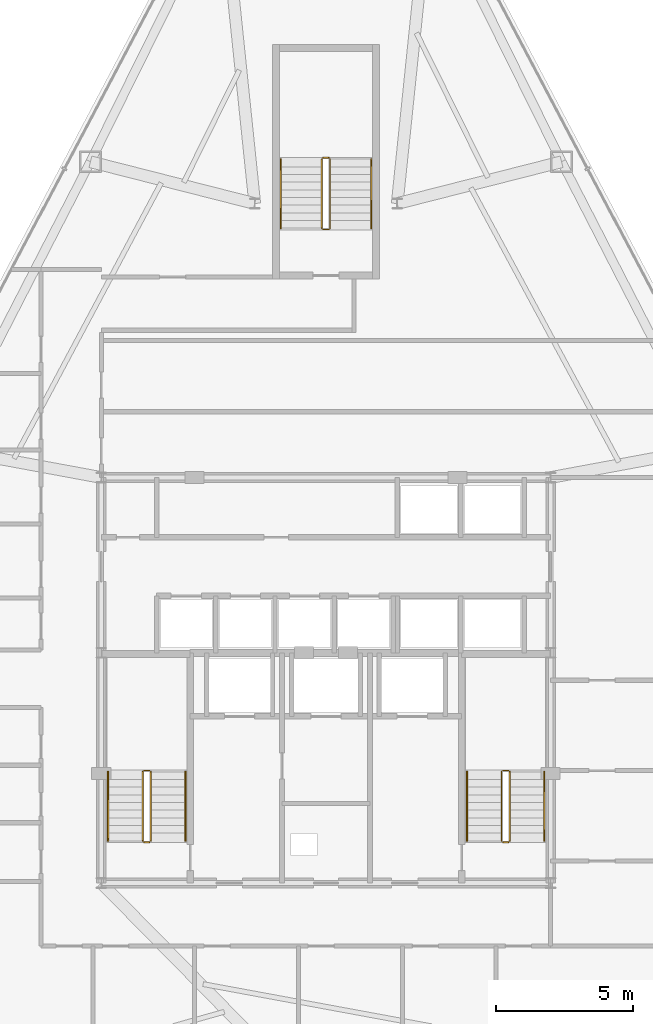
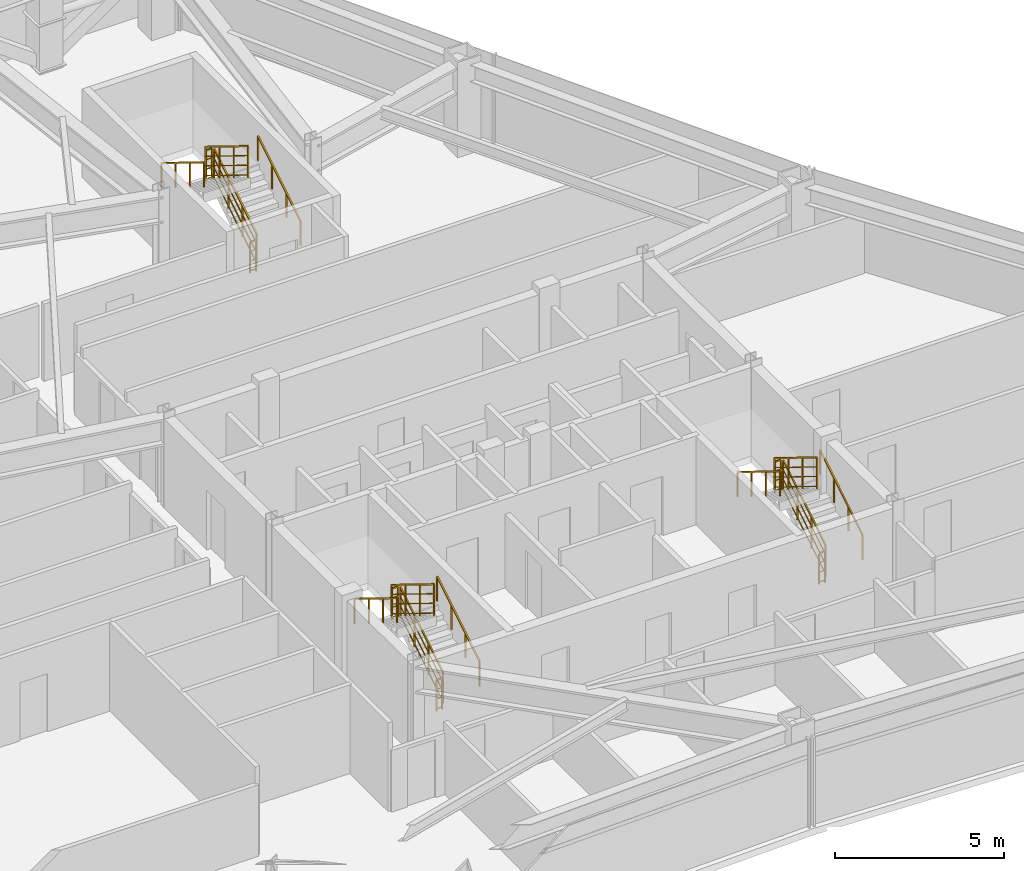
# One storey, part 13 of 13: 18 railings.
"""IFC4 building model written with IfcOpenShell, lengths in metres."""

from ifc_helpers import new_model, si_unit, direction, frame, origin, origin_2d, place, context, subcontext, project, spatial, rectangle, extrude, material, type_object, element, save


model = new_model("IFC4")

# Units and contexts
model_context = context("Model", 3, precision=1e-05, world=origin(), true_north=direction((0.0, 1.0)))
body_context = subcontext(model_context, "Body", "Model", "MODEL_VIEW")
ifc_project = project(units=[si_unit("LENGTHUNIT", "METRE"), si_unit("AREAUNIT", "SQUARE_METRE"), si_unit("VOLUMEUNIT", "CUBIC_METRE"), si_unit("PLANEANGLEUNIT", "RADIAN"), si_unit("MASSUNIT", "GRAM", prefix="KILO")], contexts=[model_context])

# Site, building, storey
site_placement = place(None, origin())
site = spatial("IfcSite", under=ifc_project, at=site_placement, CompositionType="ELEMENT")
building_placement = place(site_placement, origin())
building = spatial("IfcBuilding", under=site, at=building_placement, Name="Varakhsha Concourse Tower", CompositionType="ELEMENT")
storey_placement = place(building_placement, frame((0.0, 0.0, 179.25)))
storey = spatial("IfcBuildingStorey", under=building, at=storey_placement, Name="L51", CompositionType="ELEMENT", Elevation=179.25)

# Railings
ifc_material = material(Name="Brushed Austenitic Stainless Steel AISI 316", Category="steel")
railing_type_1 = type_object("IfcRailingType", Name="RL-STAIR-GUARD-1100", PredefinedType="GUARDRAIL", material=ifc_material)
railing_1_placement = place(storey_placement, frame((33.610107421875, 17.93994140625, 0.172607421875)))
element("IfcRailing", 1, at=railing_1_placement, inside=storey, type_object=railing_type_1, Name="L51 ST1 stair guard 1", PredefinedType="GUARDRAIL", context=body_context, shape_type="SweptSolid", body=[
    extrude(rectangle(XDim=0.048095703125, YDim=0.048095703125, at=origin_2d()), frame((0.0, 0.0, 1.1259765625), z_axis=(0.0, 0.851400495292, 0.524516154772), x_axis=(-1.0, 0.0, 0.0)), (0.0, 0.0, 1.0), 2.9599609375),
    extrude(rectangle(XDim=0.028076171875, YDim=0.028076171875, at=origin_2d()), frame((0.0, 0.0, 0.080078125), z_axis=(0.0, 0.851400495292, 0.524516154772), x_axis=(-1.0, 0.0, 0.0)), (0.0, 0.0, 1.0), 2.9599609375),
    extrude(rectangle(XDim=0.028076171875, YDim=0.028076171875, at=origin_2d()), frame((0.0, 0.0, 0.43701171875), z_axis=(0.0, 0.851400495292, 0.524516154772), x_axis=(-1.0, 0.0, 0.0)), (0.0, 0.0, 1.0), 2.9599609375),
    extrude(rectangle(XDim=0.028076171875, YDim=0.028076171875, at=origin_2d()), frame((0.0, 0.0, 0.781982421875), z_axis=(0.0, 0.851400495292, 0.524516154772), x_axis=(-1.0, 0.0, 0.0)), (0.0, 0.0, 1.0), 2.9599609375),
    extrude(rectangle(XDim=0.0419921875, YDim=0.0419921875, at=origin_2d()), origin(), (0.0, 0.0, 1.0), 1.101806640625),
    extrude(rectangle(XDim=0.0419921875, YDim=0.0419921875, at=origin_2d()), frame((0.0, 0.840087890625, 0.517578125)), (0.0, 0.0, 1.0), 1.101806640625),
    extrude(rectangle(XDim=0.0419921875, YDim=0.0419921875, at=origin_2d()), frame((0.0, 1.679931640625, 1.034912109375)), (0.0, 0.0, 1.0), 1.101806640625),
    extrude(rectangle(XDim=0.0419921875, YDim=0.0419921875, at=origin_2d()), frame((0.0, 2.52001953125, 1.552490234375)), (0.0, 0.0, 1.0), 1.101806640625),
])
railing_2_placement = place(storey_placement, frame((33.56005859375, 20.510009765625, 1.72509765625)))
element("IfcRailing", 2, at=railing_2_placement, inside=storey, type_object=railing_type_1, Name="L51 ST1 stair guard 2", PredefinedType="GUARDRAIL", context=body_context, shape_type="SweptSolid", body=[
    extrude(rectangle(XDim=0.048095703125, YDim=0.048095703125, at=origin_2d()), frame((0.0, 0.0, 1.1259765625), z_axis=(-1.0, 0.0, 0.0), x_axis=(0.0, -1.0, 0.0)), (0.0, 0.0, 1.0), 0.199951171875),
    extrude(rectangle(XDim=0.028076171875, YDim=0.028076171875, at=origin_2d()), frame((0.0, 0.0, 0.080078125), z_axis=(-1.0, 0.0, 0.0), x_axis=(0.0, -1.0, 0.0)), (0.0, 0.0, 1.0), 0.199951171875),
    extrude(rectangle(XDim=0.028076171875, YDim=0.028076171875, at=origin_2d()), frame((0.0, 0.0, 0.43701171875), z_axis=(-1.0, 0.0, 0.0), x_axis=(0.0, -1.0, 0.0)), (0.0, 0.0, 1.0), 0.199951171875),
    extrude(rectangle(XDim=0.028076171875, YDim=0.028076171875, at=origin_2d()), frame((0.0, 0.0, 0.781982421875), z_axis=(-1.0, 0.0, 0.0), x_axis=(0.0, -1.0, 0.0)), (0.0, 0.0, 1.0), 0.199951171875),
    extrude(rectangle(XDim=0.0419921875, YDim=0.0419921875, at=origin_2d()), origin(), (0.0, 0.0, 1.0), 1.101806640625),
    extrude(rectangle(XDim=0.0419921875, YDim=0.0419921875, at=origin_2d()), frame((-0.199951171875, 0.0, 0.0)), (0.0, 0.0, 1.0), 1.101806640625),
])
railing_3_placement = place(storey_placement, frame((33.31005859375, 20.4599609375, 1.8974609375)))
element("IfcRailing", 3, at=railing_3_placement, inside=storey, type_object=railing_type_1, Name="L51 ST1 stair guard 3", PredefinedType="GUARDRAIL", context=body_context, shape_type="SweptSolid", body=[
    extrude(rectangle(XDim=0.048095703125, YDim=0.048095703125, at=origin_2d()), frame((0.0, 0.0, 1.1259765625), z_axis=(0.0, -0.851400495292, 0.524516154772), x_axis=(1.0, 0.0, 0.0)), (0.0, 0.0, 1.0), 2.9599609375),
    extrude(rectangle(XDim=0.028076171875, YDim=0.028076171875, at=origin_2d()), frame((0.0, 0.0, 0.080078125), z_axis=(0.0, -0.851400495292, 0.524516154772), x_axis=(1.0, 0.0, 0.0)), (0.0, 0.0, 1.0), 2.9599609375),
    extrude(rectangle(XDim=0.028076171875, YDim=0.028076171875, at=origin_2d()), frame((0.0, 0.0, 0.43701171875), z_axis=(0.0, -0.851400495292, 0.524516154772), x_axis=(1.0, 0.0, 0.0)), (0.0, 0.0, 1.0), 2.9599609375),
    extrude(rectangle(XDim=0.028076171875, YDim=0.028076171875, at=origin_2d()), frame((0.0, 0.0, 0.781982421875), z_axis=(0.0, -0.851400495292, 0.524516154772), x_axis=(1.0, 0.0, 0.0)), (0.0, 0.0, 1.0), 2.9599609375),
    extrude(rectangle(XDim=0.0419921875, YDim=0.0419921875, at=origin_2d()), origin(), (0.0, 0.0, 1.0), 1.101806640625),
    extrude(rectangle(XDim=0.0419921875, YDim=0.0419921875, at=origin_2d()), frame((0.0, -0.840087890625, 0.517578125)), (0.0, 0.0, 1.0), 1.101806640625),
    extrude(rectangle(XDim=0.0419921875, YDim=0.0419921875, at=origin_2d()), frame((0.0, -1.679931640625, 1.034912109375)), (0.0, 0.0, 1.0), 1.101806640625),
    extrude(rectangle(XDim=0.0419921875, YDim=0.0419921875, at=origin_2d()), frame((0.0, -2.52001953125, 1.552490234375)), (0.0, 0.0, 1.0), 1.101806640625),
])
railing_4_placement = place(storey_placement, frame((33.56005859375, 17.889892578125, 0.0)))
element("IfcRailing", 4, at=railing_4_placement, inside=storey, type_object=railing_type_1, Name="L51 ST1 stair guard 4", PredefinedType="GUARDRAIL", context=body_context, shape_type="SweptSolid", body=[
    extrude(rectangle(XDim=0.048095703125, YDim=0.048095703125, at=origin_2d()), frame((0.0, 0.0, 1.1259765625), z_axis=(-1.0, 0.0, 0.0), x_axis=(0.0, -1.0, 0.0)), (0.0, 0.0, 1.0), 0.199951171875),
    extrude(rectangle(XDim=0.028076171875, YDim=0.028076171875, at=origin_2d()), frame((0.0, 0.0, 0.080078125), z_axis=(-1.0, 0.0, 0.0), x_axis=(0.0, -1.0, 0.0)), (0.0, 0.0, 1.0), 0.199951171875),
    extrude(rectangle(XDim=0.028076171875, YDim=0.028076171875, at=origin_2d()), frame((0.0, 0.0, 0.43701171875), z_axis=(-1.0, 0.0, 0.0), x_axis=(0.0, -1.0, 0.0)), (0.0, 0.0, 1.0), 0.199951171875),
    extrude(rectangle(XDim=0.028076171875, YDim=0.028076171875, at=origin_2d()), frame((0.0, 0.0, 0.781982421875), z_axis=(-1.0, 0.0, 0.0), x_axis=(0.0, -1.0, 0.0)), (0.0, 0.0, 1.0), 0.199951171875),
    extrude(rectangle(XDim=0.0419921875, YDim=0.0419921875, at=origin_2d()), origin(), (0.0, 0.0, 1.0), 1.101806640625),
    extrude(rectangle(XDim=0.0419921875, YDim=0.0419921875, at=origin_2d()), frame((-0.199951171875, 0.0, 0.0)), (0.0, 0.0, 1.0), 1.101806640625),
])
railing_5_placement = place(storey_placement, frame((46.7099609375, 17.93994140625, 0.172607421875)))
element("IfcRailing", 5, at=railing_5_placement, inside=storey, type_object=railing_type_1, Name="L51 ST2 stair guard 1", PredefinedType="GUARDRAIL", context=body_context, shape_type="SweptSolid", body=[
    extrude(rectangle(XDim=0.048095703125, YDim=0.048095703125, at=origin_2d()), frame((0.0, 0.0, 1.1259765625), z_axis=(0.0, 0.851400495292, 0.524516154772), x_axis=(-1.0, 0.0, 0.0)), (0.0, 0.0, 1.0), 2.9599609375),
    extrude(rectangle(XDim=0.028076171875, YDim=0.028076171875, at=origin_2d()), frame((0.0, 0.0, 0.080078125), z_axis=(0.0, 0.851400495292, 0.524516154772), x_axis=(-1.0, 0.0, 0.0)), (0.0, 0.0, 1.0), 2.9599609375),
    extrude(rectangle(XDim=0.028076171875, YDim=0.028076171875, at=origin_2d()), frame((0.0, 0.0, 0.43701171875), z_axis=(0.0, 0.851400495292, 0.524516154772), x_axis=(-1.0, 0.0, 0.0)), (0.0, 0.0, 1.0), 2.9599609375),
    extrude(rectangle(XDim=0.028076171875, YDim=0.028076171875, at=origin_2d()), frame((0.0, 0.0, 0.781982421875), z_axis=(0.0, 0.851400495292, 0.524516154772), x_axis=(-1.0, 0.0, 0.0)), (0.0, 0.0, 1.0), 2.9599609375),
    extrude(rectangle(XDim=0.0419921875, YDim=0.0419921875, at=origin_2d()), origin(), (0.0, 0.0, 1.0), 1.101806640625),
    extrude(rectangle(XDim=0.0419921875, YDim=0.0419921875, at=origin_2d()), frame((0.0, 0.840087890625, 0.517578125)), (0.0, 0.0, 1.0), 1.101806640625),
    extrude(rectangle(XDim=0.0419921875, YDim=0.0419921875, at=origin_2d()), frame((0.0, 1.679931640625, 1.034912109375)), (0.0, 0.0, 1.0), 1.101806640625),
    extrude(rectangle(XDim=0.0419921875, YDim=0.0419921875, at=origin_2d()), frame((0.0, 2.52001953125, 1.552490234375)), (0.0, 0.0, 1.0), 1.101806640625),
])
railing_6_placement = place(storey_placement, frame((46.659912109375, 20.510009765625, 1.72509765625)))
element("IfcRailing", 6, at=railing_6_placement, inside=storey, type_object=railing_type_1, Name="L51 ST2 stair guard 2", PredefinedType="GUARDRAIL", context=body_context, shape_type="SweptSolid", body=[
    extrude(rectangle(XDim=0.048095703125, YDim=0.048095703125, at=origin_2d()), frame((0.0, 0.0, 1.1259765625), z_axis=(-1.0, 0.0, 0.0), x_axis=(0.0, -1.0, 0.0)), (0.0, 0.0, 1.0), 0.199951171875),
    extrude(rectangle(XDim=0.028076171875, YDim=0.028076171875, at=origin_2d()), frame((0.0, 0.0, 0.080078125), z_axis=(-1.0, 0.0, 0.0), x_axis=(0.0, -1.0, 0.0)), (0.0, 0.0, 1.0), 0.199951171875),
    extrude(rectangle(XDim=0.028076171875, YDim=0.028076171875, at=origin_2d()), frame((0.0, 0.0, 0.43701171875), z_axis=(-1.0, 0.0, 0.0), x_axis=(0.0, -1.0, 0.0)), (0.0, 0.0, 1.0), 0.199951171875),
    extrude(rectangle(XDim=0.028076171875, YDim=0.028076171875, at=origin_2d()), frame((0.0, 0.0, 0.781982421875), z_axis=(-1.0, 0.0, 0.0), x_axis=(0.0, -1.0, 0.0)), (0.0, 0.0, 1.0), 0.199951171875),
    extrude(rectangle(XDim=0.0419921875, YDim=0.0419921875, at=origin_2d()), origin(), (0.0, 0.0, 1.0), 1.101806640625),
    extrude(rectangle(XDim=0.0419921875, YDim=0.0419921875, at=origin_2d()), frame((-0.199951171875, 0.0, 0.0)), (0.0, 0.0, 1.0), 1.101806640625),
])
railing_7_placement = place(storey_placement, frame((46.409912109375, 20.4599609375, 1.8974609375)))
element("IfcRailing", 7, at=railing_7_placement, inside=storey, type_object=railing_type_1, Name="L51 ST2 stair guard 3", PredefinedType="GUARDRAIL", context=body_context, shape_type="SweptSolid", body=[
    extrude(rectangle(XDim=0.048095703125, YDim=0.048095703125, at=origin_2d()), frame((0.0, 0.0, 1.1259765625), z_axis=(0.0, -0.851400495292, 0.524516154772), x_axis=(1.0, 0.0, 0.0)), (0.0, 0.0, 1.0), 2.9599609375),
    extrude(rectangle(XDim=0.028076171875, YDim=0.028076171875, at=origin_2d()), frame((0.0, 0.0, 0.080078125), z_axis=(0.0, -0.851400495292, 0.524516154772), x_axis=(1.0, 0.0, 0.0)), (0.0, 0.0, 1.0), 2.9599609375),
    extrude(rectangle(XDim=0.028076171875, YDim=0.028076171875, at=origin_2d()), frame((0.0, 0.0, 0.43701171875), z_axis=(0.0, -0.851400495292, 0.524516154772), x_axis=(1.0, 0.0, 0.0)), (0.0, 0.0, 1.0), 2.9599609375),
    extrude(rectangle(XDim=0.028076171875, YDim=0.028076171875, at=origin_2d()), frame((0.0, 0.0, 0.781982421875), z_axis=(0.0, -0.851400495292, 0.524516154772), x_axis=(1.0, 0.0, 0.0)), (0.0, 0.0, 1.0), 2.9599609375),
    extrude(rectangle(XDim=0.0419921875, YDim=0.0419921875, at=origin_2d()), origin(), (0.0, 0.0, 1.0), 1.101806640625),
    extrude(rectangle(XDim=0.0419921875, YDim=0.0419921875, at=origin_2d()), frame((0.0, -0.840087890625, 0.517578125)), (0.0, 0.0, 1.0), 1.101806640625),
    extrude(rectangle(XDim=0.0419921875, YDim=0.0419921875, at=origin_2d()), frame((0.0, -1.679931640625, 1.034912109375)), (0.0, 0.0, 1.0), 1.101806640625),
    extrude(rectangle(XDim=0.0419921875, YDim=0.0419921875, at=origin_2d()), frame((0.0, -2.52001953125, 1.552490234375)), (0.0, 0.0, 1.0), 1.101806640625),
])
railing_8_placement = place(storey_placement, frame((46.659912109375, 17.889892578125, 0.0)))
element("IfcRailing", 8, at=railing_8_placement, inside=storey, type_object=railing_type_1, Name="L51 ST2 stair guard 4", PredefinedType="GUARDRAIL", context=body_context, shape_type="SweptSolid", body=[
    extrude(rectangle(XDim=0.048095703125, YDim=0.048095703125, at=origin_2d()), frame((0.0, 0.0, 1.1259765625), z_axis=(-1.0, 0.0, 0.0), x_axis=(0.0, -1.0, 0.0)), (0.0, 0.0, 1.0), 0.199951171875),
    extrude(rectangle(XDim=0.028076171875, YDim=0.028076171875, at=origin_2d()), frame((0.0, 0.0, 0.080078125), z_axis=(-1.0, 0.0, 0.0), x_axis=(0.0, -1.0, 0.0)), (0.0, 0.0, 1.0), 0.199951171875),
    extrude(rectangle(XDim=0.028076171875, YDim=0.028076171875, at=origin_2d()), frame((0.0, 0.0, 0.43701171875), z_axis=(-1.0, 0.0, 0.0), x_axis=(0.0, -1.0, 0.0)), (0.0, 0.0, 1.0), 0.199951171875),
    extrude(rectangle(XDim=0.028076171875, YDim=0.028076171875, at=origin_2d()), frame((0.0, 0.0, 0.781982421875), z_axis=(-1.0, 0.0, 0.0), x_axis=(0.0, -1.0, 0.0)), (0.0, 0.0, 1.0), 0.199951171875),
    extrude(rectangle(XDim=0.0419921875, YDim=0.0419921875, at=origin_2d()), origin(), (0.0, 0.0, 1.0), 1.101806640625),
    extrude(rectangle(XDim=0.0419921875, YDim=0.0419921875, at=origin_2d()), frame((-0.199951171875, 0.0, 0.0)), (0.0, 0.0, 1.0), 1.101806640625),
])
railing_9_placement = place(storey_placement, frame((40.14990234375, 40.300048828125, 0.172607421875)))
element("IfcRailing", 9, at=railing_9_placement, inside=storey, type_object=railing_type_1, Name="L51 ST5 stair guard 1", PredefinedType="GUARDRAIL", context=body_context, shape_type="SweptSolid", body=[
    extrude(rectangle(XDim=0.048095703125, YDim=0.048095703125, at=origin_2d()), frame((0.0, 0.0, 1.1259765625), z_axis=(0.0, 0.851400495292, 0.524516154772), x_axis=(-1.0, 0.0, 0.0)), (0.0, 0.0, 1.0), 2.9599609375),
    extrude(rectangle(XDim=0.028076171875, YDim=0.028076171875, at=origin_2d()), frame((0.0, 0.0, 0.080078125), z_axis=(0.0, 0.851400495292, 0.524516154772), x_axis=(-1.0, 0.0, 0.0)), (0.0, 0.0, 1.0), 2.9599609375),
    extrude(rectangle(XDim=0.028076171875, YDim=0.028076171875, at=origin_2d()), frame((0.0, 0.0, 0.43701171875), z_axis=(0.0, 0.851400495292, 0.524516154772), x_axis=(-1.0, 0.0, 0.0)), (0.0, 0.0, 1.0), 2.9599609375),
    extrude(rectangle(XDim=0.028076171875, YDim=0.028076171875, at=origin_2d()), frame((0.0, 0.0, 0.781982421875), z_axis=(0.0, 0.851400495292, 0.524516154772), x_axis=(-1.0, 0.0, 0.0)), (0.0, 0.0, 1.0), 2.9599609375),
    extrude(rectangle(XDim=0.0419921875, YDim=0.0419921875, at=origin_2d()), origin(), (0.0, 0.0, 1.0), 1.101806640625),
    extrude(rectangle(XDim=0.0419921875, YDim=0.0419921875, at=origin_2d()), frame((0.0, 0.840087890625, 0.517578125)), (0.0, 0.0, 1.0), 1.101806640625),
    extrude(rectangle(XDim=0.0419921875, YDim=0.0419921875, at=origin_2d()), frame((0.0, 1.679931640625, 1.034912109375)), (0.0, 0.0, 1.0), 1.101806640625),
    extrude(rectangle(XDim=0.0419921875, YDim=0.0419921875, at=origin_2d()), frame((0.0, 2.52001953125, 1.552490234375)), (0.0, 0.0, 1.0), 1.101806640625),
])
railing_10_placement = place(storey_placement, frame((40.10009765625, 42.8701171875, 1.72509765625)))
element("IfcRailing", 10, at=railing_10_placement, inside=storey, type_object=railing_type_1, Name="L51 ST5 stair guard 2", PredefinedType="GUARDRAIL", context=body_context, shape_type="SweptSolid", body=[
    extrude(rectangle(XDim=0.048095703125, YDim=0.048095703125, at=origin_2d()), frame((0.0, 0.0, 1.1259765625), z_axis=(-1.0, 0.0, 0.0), x_axis=(0.0, -1.0, 0.0)), (0.0, 0.0, 1.0), 0.2001953125),
    extrude(rectangle(XDim=0.028076171875, YDim=0.028076171875, at=origin_2d()), frame((0.0, 0.0, 0.080078125), z_axis=(-1.0, 0.0, 0.0), x_axis=(0.0, -1.0, 0.0)), (0.0, 0.0, 1.0), 0.2001953125),
    extrude(rectangle(XDim=0.028076171875, YDim=0.028076171875, at=origin_2d()), frame((0.0, 0.0, 0.43701171875), z_axis=(-1.0, 0.0, 0.0), x_axis=(0.0, -1.0, 0.0)), (0.0, 0.0, 1.0), 0.2001953125),
    extrude(rectangle(XDim=0.028076171875, YDim=0.028076171875, at=origin_2d()), frame((0.0, 0.0, 0.781982421875), z_axis=(-1.0, 0.0, 0.0), x_axis=(0.0, -1.0, 0.0)), (0.0, 0.0, 1.0), 0.2001953125),
    extrude(rectangle(XDim=0.0419921875, YDim=0.0419921875, at=origin_2d()), origin(), (0.0, 0.0, 1.0), 1.101806640625),
    extrude(rectangle(XDim=0.0419921875, YDim=0.0419921875, at=origin_2d()), frame((-0.2001953125, 0.0, 0.0)), (0.0, 0.0, 1.0), 1.101806640625),
])
railing_11_placement = place(storey_placement, frame((39.85009765625, 42.820068359375, 1.8974609375)))
element("IfcRailing", 11, at=railing_11_placement, inside=storey, type_object=railing_type_1, Name="L51 ST5 stair guard 3", PredefinedType="GUARDRAIL", context=body_context, shape_type="SweptSolid", body=[
    extrude(rectangle(XDim=0.048095703125, YDim=0.048095703125, at=origin_2d()), frame((0.0, 0.0, 1.1259765625), z_axis=(0.0, -0.851400495292, 0.524516154772), x_axis=(1.0, 0.0, 0.0)), (0.0, 0.0, 1.0), 2.9599609375),
    extrude(rectangle(XDim=0.028076171875, YDim=0.028076171875, at=origin_2d()), frame((0.0, 0.0, 0.080078125), z_axis=(0.0, -0.851400495292, 0.524516154772), x_axis=(1.0, 0.0, 0.0)), (0.0, 0.0, 1.0), 2.9599609375),
    extrude(rectangle(XDim=0.028076171875, YDim=0.028076171875, at=origin_2d()), frame((0.0, 0.0, 0.43701171875), z_axis=(0.0, -0.851400495292, 0.524516154772), x_axis=(1.0, 0.0, 0.0)), (0.0, 0.0, 1.0), 2.9599609375),
    extrude(rectangle(XDim=0.028076171875, YDim=0.028076171875, at=origin_2d()), frame((0.0, 0.0, 0.781982421875), z_axis=(0.0, -0.851400495292, 0.524516154772), x_axis=(1.0, 0.0, 0.0)), (0.0, 0.0, 1.0), 2.9599609375),
    extrude(rectangle(XDim=0.0419921875, YDim=0.0419921875, at=origin_2d()), origin(), (0.0, 0.0, 1.0), 1.101806640625),
    extrude(rectangle(XDim=0.0419921875, YDim=0.0419921875, at=origin_2d()), frame((0.0, -0.840087890625, 0.517578125)), (0.0, 0.0, 1.0), 1.101806640625),
    extrude(rectangle(XDim=0.0419921875, YDim=0.0419921875, at=origin_2d()), frame((0.0, -1.679931640625, 1.034912109375)), (0.0, 0.0, 1.0), 1.101806640625),
    extrude(rectangle(XDim=0.0419921875, YDim=0.0419921875, at=origin_2d()), frame((0.0, -2.52001953125, 1.552490234375)), (0.0, 0.0, 1.0), 1.101806640625),
])
railing_12_placement = place(storey_placement, frame((40.10009765625, 40.25, 0.0)))
element("IfcRailing", 12, at=railing_12_placement, inside=storey, type_object=railing_type_1, Name="L51 ST5 stair guard 4", PredefinedType="GUARDRAIL", context=body_context, shape_type="SweptSolid", body=[
    extrude(rectangle(XDim=0.048095703125, YDim=0.048095703125, at=origin_2d()), frame((0.0, 0.0, 1.1259765625), z_axis=(-1.0, 0.0, 0.0), x_axis=(0.0, -1.0, 0.0)), (0.0, 0.0, 1.0), 0.2001953125),
    extrude(rectangle(XDim=0.028076171875, YDim=0.028076171875, at=origin_2d()), frame((0.0, 0.0, 0.080078125), z_axis=(-1.0, 0.0, 0.0), x_axis=(0.0, -1.0, 0.0)), (0.0, 0.0, 1.0), 0.2001953125),
    extrude(rectangle(XDim=0.028076171875, YDim=0.028076171875, at=origin_2d()), frame((0.0, 0.0, 0.43701171875), z_axis=(-1.0, 0.0, 0.0), x_axis=(0.0, -1.0, 0.0)), (0.0, 0.0, 1.0), 0.2001953125),
    extrude(rectangle(XDim=0.028076171875, YDim=0.028076171875, at=origin_2d()), frame((0.0, 0.0, 0.781982421875), z_axis=(-1.0, 0.0, 0.0), x_axis=(0.0, -1.0, 0.0)), (0.0, 0.0, 1.0), 0.2001953125),
    extrude(rectangle(XDim=0.0419921875, YDim=0.0419921875, at=origin_2d()), origin(), (0.0, 0.0, 1.0), 1.101806640625),
    extrude(rectangle(XDim=0.0419921875, YDim=0.0419921875, at=origin_2d()), frame((-0.2001953125, 0.0, 0.0)), (0.0, 0.0, 1.0), 1.101806640625),
])
railing_type_2 = type_object("IfcRailingType", Name="RL-STAIR-RAIL-915", PredefinedType="HANDRAIL", material=ifc_material)
railing_13_placement = place(storey_placement, frame((34.8701171875, 17.93994140625, 0.344970703125)))
element("IfcRailing", 13, at=railing_13_placement, inside=storey, type_object=railing_type_2, Name="L51 ST1 stair handrail 1", PredefinedType="HANDRAIL", context=body_context, shape_type="SweptSolid", body=[
    extrude(rectangle(XDim=0.048095703125, YDim=0.048095703125, at=origin_2d()), frame((0.0, 0.0, 0.89111328125), z_axis=(0.0, 0.851400495292, 0.524516154772), x_axis=(-1.0, 0.0, 0.0)), (0.0, 0.0, 1.0), 2.9599609375),
    extrude(rectangle(XDim=0.0419921875, YDim=0.0419921875, at=origin_2d()), origin(), (0.0, 0.0, 1.0), 0.866943359375),
    extrude(rectangle(XDim=0.0419921875, YDim=0.0419921875, at=origin_2d()), frame((0.0, 0.840087890625, 0.517578125)), (0.0, 0.0, 1.0), 0.866943359375),
    extrude(rectangle(XDim=0.0419921875, YDim=0.0419921875, at=origin_2d()), frame((0.0, 1.679931640625, 1.034912109375)), (0.0, 0.0, 1.0), 0.866943359375),
    extrude(rectangle(XDim=0.0419921875, YDim=0.0419921875, at=origin_2d()), frame((0.0, 2.52001953125, 1.552490234375)), (0.0, 0.0, 1.0), 0.866943359375),
])
railing_14_placement = place(storey_placement, frame((32.050048828125, 20.4599609375, 2.070068359375)))
element("IfcRailing", 14, at=railing_14_placement, inside=storey, type_object=railing_type_2, Name="L51 ST1 stair handrail 2", PredefinedType="HANDRAIL", context=body_context, shape_type="SweptSolid", body=[
    extrude(rectangle(XDim=0.048095703125, YDim=0.048095703125, at=origin_2d()), frame((0.0, 0.0, 0.89111328125), z_axis=(0.0, -0.851400495292, 0.524516154772), x_axis=(1.0, 0.0, 0.0)), (0.0, 0.0, 1.0), 2.9599609375),
    extrude(rectangle(XDim=0.0419921875, YDim=0.0419921875, at=origin_2d()), origin(), (0.0, 0.0, 1.0), 0.866943359375),
    extrude(rectangle(XDim=0.0419921875, YDim=0.0419921875, at=origin_2d()), frame((0.0, -0.840087890625, 0.517578125)), (0.0, 0.0, 1.0), 0.866943359375),
    extrude(rectangle(XDim=0.0419921875, YDim=0.0419921875, at=origin_2d()), frame((0.0, -1.679931640625, 1.034912109375)), (0.0, 0.0, 1.0), 0.866943359375),
    extrude(rectangle(XDim=0.0419921875, YDim=0.0419921875, at=origin_2d()), frame((0.0, -2.52001953125, 1.552490234375)), (0.0, 0.0, 1.0), 0.866943359375),
])
railing_15_placement = place(storey_placement, frame((47.969970703125, 17.93994140625, 0.344970703125)))
element("IfcRailing", 15, at=railing_15_placement, inside=storey, type_object=railing_type_2, Name="L51 ST2 stair handrail 1", PredefinedType="HANDRAIL", context=body_context, shape_type="SweptSolid", body=[
    extrude(rectangle(XDim=0.048095703125, YDim=0.048095703125, at=origin_2d()), frame((0.0, 0.0, 0.89111328125), z_axis=(0.0, 0.851400495292, 0.524516154772), x_axis=(-1.0, 0.0, 0.0)), (0.0, 0.0, 1.0), 2.9599609375),
    extrude(rectangle(XDim=0.0419921875, YDim=0.0419921875, at=origin_2d()), origin(), (0.0, 0.0, 1.0), 0.866943359375),
    extrude(rectangle(XDim=0.0419921875, YDim=0.0419921875, at=origin_2d()), frame((0.0, 0.840087890625, 0.517578125)), (0.0, 0.0, 1.0), 0.866943359375),
    extrude(rectangle(XDim=0.0419921875, YDim=0.0419921875, at=origin_2d()), frame((0.0, 1.679931640625, 1.034912109375)), (0.0, 0.0, 1.0), 0.866943359375),
    extrude(rectangle(XDim=0.0419921875, YDim=0.0419921875, at=origin_2d()), frame((0.0, 2.52001953125, 1.552490234375)), (0.0, 0.0, 1.0), 0.866943359375),
])
railing_16_placement = place(storey_placement, frame((45.14990234375, 20.4599609375, 2.070068359375)))
element("IfcRailing", 16, at=railing_16_placement, inside=storey, type_object=railing_type_2, Name="L51 ST2 stair handrail 2", PredefinedType="HANDRAIL", context=body_context, shape_type="SweptSolid", body=[
    extrude(rectangle(XDim=0.048095703125, YDim=0.048095703125, at=origin_2d()), frame((0.0, 0.0, 0.89111328125), z_axis=(0.0, -0.851400495292, 0.524516154772), x_axis=(1.0, 0.0, 0.0)), (0.0, 0.0, 1.0), 2.9599609375),
    extrude(rectangle(XDim=0.0419921875, YDim=0.0419921875, at=origin_2d()), origin(), (0.0, 0.0, 1.0), 0.866943359375),
    extrude(rectangle(XDim=0.0419921875, YDim=0.0419921875, at=origin_2d()), frame((0.0, -0.840087890625, 0.517578125)), (0.0, 0.0, 1.0), 0.866943359375),
    extrude(rectangle(XDim=0.0419921875, YDim=0.0419921875, at=origin_2d()), frame((0.0, -1.679931640625, 1.034912109375)), (0.0, 0.0, 1.0), 0.866943359375),
    extrude(rectangle(XDim=0.0419921875, YDim=0.0419921875, at=origin_2d()), frame((0.0, -2.52001953125, 1.552490234375)), (0.0, 0.0, 1.0), 0.866943359375),
])
railing_17_placement = place(storey_placement, frame((41.64990234375, 40.300048828125, 0.344970703125)))
element("IfcRailing", 17, at=railing_17_placement, inside=storey, type_object=railing_type_2, Name="L51 ST5 stair handrail 1", PredefinedType="HANDRAIL", context=body_context, shape_type="SweptSolid", body=[
    extrude(rectangle(XDim=0.048095703125, YDim=0.048095703125, at=origin_2d()), frame((0.0, 0.0, 0.89111328125), z_axis=(0.0, 0.851400495292, 0.524516154772), x_axis=(-1.0, 0.0, 0.0)), (0.0, 0.0, 1.0), 2.9599609375),
    extrude(rectangle(XDim=0.0419921875, YDim=0.0419921875, at=origin_2d()), origin(), (0.0, 0.0, 1.0), 0.866943359375),
    extrude(rectangle(XDim=0.0419921875, YDim=0.0419921875, at=origin_2d()), frame((0.0, 0.840087890625, 0.517578125)), (0.0, 0.0, 1.0), 0.866943359375),
    extrude(rectangle(XDim=0.0419921875, YDim=0.0419921875, at=origin_2d()), frame((0.0, 1.679931640625, 1.034912109375)), (0.0, 0.0, 1.0), 0.866943359375),
    extrude(rectangle(XDim=0.0419921875, YDim=0.0419921875, at=origin_2d()), frame((0.0, 2.52001953125, 1.552490234375)), (0.0, 0.0, 1.0), 0.866943359375),
])
railing_18_placement = place(storey_placement, frame((38.35009765625, 42.820068359375, 2.070068359375)))
element("IfcRailing", 18, at=railing_18_placement, inside=storey, type_object=railing_type_2, Name="L51 ST5 stair handrail 2", PredefinedType="HANDRAIL", context=body_context, shape_type="SweptSolid", body=[
    extrude(rectangle(XDim=0.048095703125, YDim=0.048095703125, at=origin_2d()), frame((0.0, 0.0, 0.89111328125), z_axis=(0.0, -0.851400495292, 0.524516154772), x_axis=(1.0, 0.0, 0.0)), (0.0, 0.0, 1.0), 2.9599609375),
    extrude(rectangle(XDim=0.0419921875, YDim=0.0419921875, at=origin_2d()), origin(), (0.0, 0.0, 1.0), 0.866943359375),
    extrude(rectangle(XDim=0.0419921875, YDim=0.0419921875, at=origin_2d()), frame((0.0, -0.840087890625, 0.517578125)), (0.0, 0.0, 1.0), 0.866943359375),
    extrude(rectangle(XDim=0.0419921875, YDim=0.0419921875, at=origin_2d()), frame((0.0, -1.679931640625, 1.034912109375)), (0.0, 0.0, 1.0), 0.866943359375),
    extrude(rectangle(XDim=0.0419921875, YDim=0.0419921875, at=origin_2d()), frame((0.0, -2.52001953125, 1.552490234375)), (0.0, 0.0, 1.0), 0.866943359375),
])

save(model, "model.ifc")
